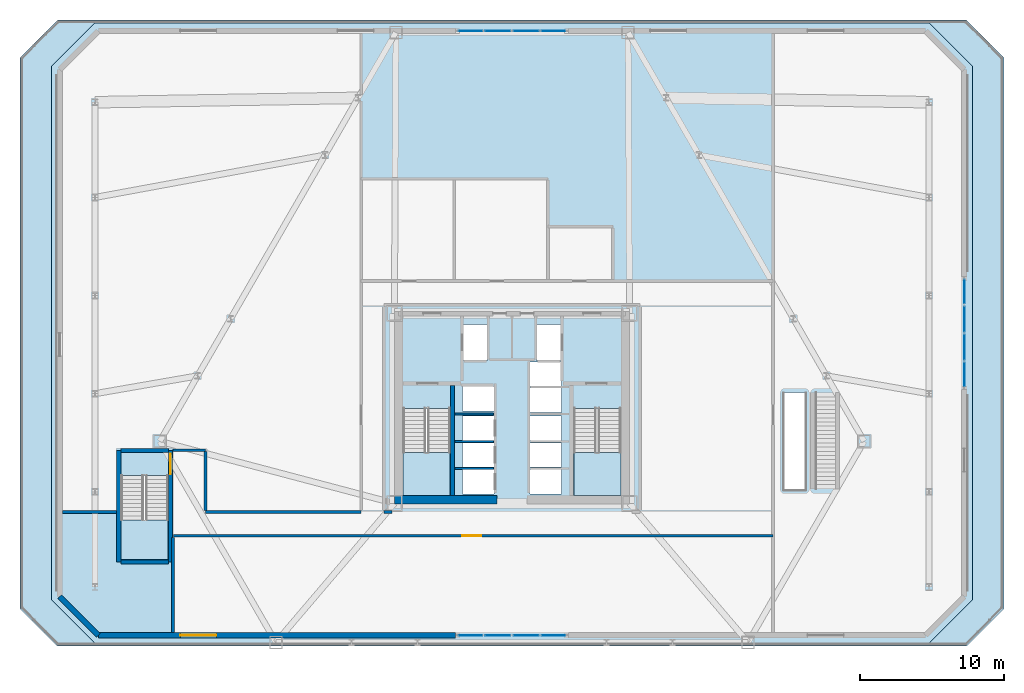
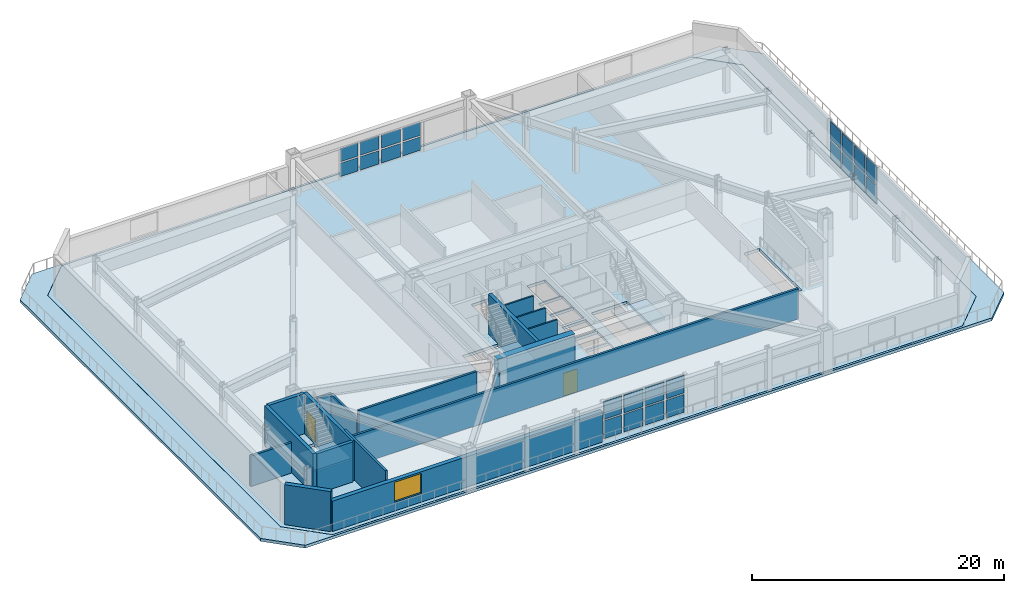
# One storey, part 11 of 22: 24 plates, 18 walls, 5 slabs, 2 doors, 1 window, 3 openings, 6 elements without a shape of their own.
"""IFC4 building model written with IfcOpenShell, lengths in metres."""

from ifc_helpers import new_model, si_unit, direction, frame, frame_2d, origin, origin_2d, place, context, subcontext, project, spatial, polyline, rectangle, outline, extrude, material, layer, layer_set, type_object, element, fill, aggregate, save


model = new_model("IFC4")

# Units and contexts
model_context = context("Model", 3, precision=1e-05, world=origin(), true_north=direction((0.0, 1.0)))
body_context = subcontext(model_context, "Body", "Model", "MODEL_VIEW")
ifc_project = project(units=[si_unit("LENGTHUNIT", "METRE"), si_unit("AREAUNIT", "SQUARE_METRE"), si_unit("VOLUMEUNIT", "CUBIC_METRE"), si_unit("PLANEANGLEUNIT", "RADIAN"), si_unit("MASSUNIT", "GRAM", prefix="KILO")], contexts=[model_context])

# Site, building, storey
site_placement = place(None, origin())
site = spatial("IfcSite", under=ifc_project, at=site_placement, CompositionType="ELEMENT")
building_placement = place(site_placement, origin())
building = spatial("IfcBuilding", under=site, at=building_placement, Name="Oramaril Tower", CompositionType="ELEMENT")
storey_placement = place(building_placement, frame((0.0, 0.0, 18.300048828125)))
storey = spatial("IfcBuildingStorey", under=building, at=storey_placement, Name="L04", CompositionType="ELEMENT", Elevation=18.300048828125)

# Curtain wall, plates
ifc_material_1 = material(Name="Anodised Aluminium 6063-T6", Category="aluminium")
ifc_layer_1 = layer(ifc_material_1, 0.219970703125)
ifc_layer_set_1 = layer_set([ifc_layer_1], Name="CWT-SYS2")
curtain_wall_type = type_object("IfcCurtainWallType", Name="CWT-SYS2", PredefinedType="NOTDEFINED", material=ifc_layer_set_1)
curtain_wall_1_placement = place(storey_placement, origin())
curtain_wall_1 = element("IfcCurtainWall", 1, at=curtain_wall_1_placement, inside=storey, type_object=curtain_wall_type, Name="L04 Unitised Curtain Wall CW-2", PredefinedType="NOTDEFINED")
ifc_material_2 = material(Name="Coastal Low-E Insulated Glass", Category="glass")
ifc_layer_2 = layer(ifc_material_2, 0.028076171875)
ifc_layer_set_2 = layer_set([ifc_layer_2], Name="PLT-CWP1")
plate_type = type_object("IfcPlateType", Name="PLT-CWP1", PredefinedType="CURTAIN_PANEL", material=ifc_layer_set_2)
plate_1_placement = place(storey_placement, frame((34.6298828125, 1.85009765625, 0.139892578125), z_axis=(0.0, 0.0, 1.0), x_axis=(1.0, 0.0, 0.0)))
plate_1 = element("IfcPlate", 2, at=plate_1_placement, type_object=plate_type, Name="CW-2 panel 1.1", PredefinedType="CURTAIN_PANEL", context=body_context, shape_type="SweptSolid", body=[
    extrude(rectangle(XDim=1.6201171875, YDim=0.028076171875, at=origin_2d()), origin(), (0.0, 0.0, 1.0), 1.72998046875),
])
plate_2_placement = place(storey_placement, frame((34.6298828125, 1.85009765625, 2.010009765625), z_axis=(0.0, 0.0, 1.0), x_axis=(1.0, 0.0, 0.0)))
plate_2 = element("IfcPlate", 3, at=plate_2_placement, type_object=plate_type, Name="CW-2 panel 1.2", PredefinedType="CURTAIN_PANEL", context=body_context, shape_type="SweptSolid", body=[
    extrude(rectangle(XDim=1.6201171875, YDim=0.028076171875, at=origin_2d()), origin(), (0.0, 0.0, 1.0), 1.72998046875),
])
plate_3_placement = place(storey_placement, frame((36.52490234375, 1.85009765625, 0.139892578125), z_axis=(0.0, 0.0, 1.0), x_axis=(1.0, 0.0, 0.0)))
plate_3 = element("IfcPlate", 4, at=plate_3_placement, type_object=plate_type, Name="CW-2 panel 2.1", PredefinedType="CURTAIN_PANEL", context=body_context, shape_type="SweptSolid", body=[
    extrude(rectangle(XDim=1.72998046875, YDim=0.028076171875, at=origin_2d()), origin(), (0.0, 0.0, 1.0), 1.72998046875),
])
plate_4_placement = place(storey_placement, frame((36.52490234375, 1.85009765625, 2.010009765625), z_axis=(0.0, 0.0, 1.0), x_axis=(1.0, 0.0, 0.0)))
plate_4 = element("IfcPlate", 5, at=plate_4_placement, type_object=plate_type, Name="CW-2 panel 2.2", PredefinedType="CURTAIN_PANEL", context=body_context, shape_type="SweptSolid", body=[
    extrude(rectangle(XDim=1.72998046875, YDim=0.028076171875, at=origin_2d()), origin(), (0.0, 0.0, 1.0), 1.72998046875),
])
plate_5_placement = place(storey_placement, frame((38.47509765625, 1.85009765625, 0.139892578125), z_axis=(0.0, 0.0, 1.0), x_axis=(1.0, 0.0, 0.0)))
plate_5 = element("IfcPlate", 6, at=plate_5_placement, type_object=plate_type, Name="CW-2 panel 3.1", PredefinedType="CURTAIN_PANEL", context=body_context, shape_type="SweptSolid", body=[
    extrude(rectangle(XDim=1.72998046875, YDim=0.028076171875, at=origin_2d()), origin(), (0.0, 0.0, 1.0), 1.72998046875),
])
plate_6_placement = place(storey_placement, frame((38.47509765625, 1.85009765625, 2.010009765625), z_axis=(0.0, 0.0, 1.0), x_axis=(1.0, 0.0, 0.0)))
plate_6 = element("IfcPlate", 7, at=plate_6_placement, type_object=plate_type, Name="CW-2 panel 3.2", PredefinedType="CURTAIN_PANEL", context=body_context, shape_type="SweptSolid", body=[
    extrude(rectangle(XDim=1.72998046875, YDim=0.028076171875, at=origin_2d()), origin(), (0.0, 0.0, 1.0), 1.72998046875),
])
plate_7_placement = place(storey_placement, frame((40.3701171875, 1.85009765625, 0.139892578125), z_axis=(0.0, 0.0, 1.0), x_axis=(1.0, 0.0, 0.0)))
plate_7 = element("IfcPlate", 8, at=plate_7_placement, type_object=plate_type, Name="CW-2 panel 4.1", PredefinedType="CURTAIN_PANEL", context=body_context, shape_type="SweptSolid", body=[
    extrude(rectangle(XDim=1.6201171875, YDim=0.028076171875, at=origin_2d()), origin(), (0.0, 0.0, 1.0), 1.72998046875),
])
plate_8_placement = place(storey_placement, frame((40.3701171875, 1.85009765625, 2.010009765625), z_axis=(0.0, 0.0, 1.0), x_axis=(1.0, 0.0, 0.0)))
plate_8 = element("IfcPlate", 9, at=plate_8_placement, type_object=plate_type, Name="CW-2 panel 4.2", PredefinedType="CURTAIN_PANEL", context=body_context, shape_type="SweptSolid", body=[
    extrude(rectangle(XDim=1.6201171875, YDim=0.028076171875, at=origin_2d()), origin(), (0.0, 0.0, 1.0), 1.72998046875),
])
aggregate(curtain_wall_1, [plate_1, plate_2, plate_3, plate_4, plate_5, plate_6, plate_7, plate_8])

curtain_wall_2_placement = place(storey_placement, origin())
curtain_wall_2 = element("IfcCurtainWall", 10, at=curtain_wall_2_placement, inside=storey, type_object=curtain_wall_type, Name="L04 Unitised Curtain Wall CW-2", PredefinedType="NOTDEFINED")
plate_9_placement = place(storey_placement, frame((68.85009765625, 19.929931640625, 0.139892578125), z_axis=(0.0, 0.0, 1.0), x_axis=(0.0, 1.0, 0.0)))
plate_9 = element("IfcPlate", 11, at=plate_9_placement, type_object=plate_type, Name="CW-2 panel 1.1", PredefinedType="CURTAIN_PANEL", context=body_context, shape_type="SweptSolid", body=[
    extrude(rectangle(XDim=1.6201171875, YDim=0.028076171875, at=origin_2d()), origin(), (0.0, 0.0, 1.0), 1.72998046875),
])
plate_10_placement = place(storey_placement, frame((68.85009765625, 19.929931640625, 2.010009765625), z_axis=(0.0, 0.0, 1.0), x_axis=(0.0, 1.0, 0.0)))
plate_10 = element("IfcPlate", 12, at=plate_10_placement, type_object=plate_type, Name="CW-2 panel 1.2", PredefinedType="CURTAIN_PANEL", context=body_context, shape_type="SweptSolid", body=[
    extrude(rectangle(XDim=1.6201171875, YDim=0.028076171875, at=origin_2d()), origin(), (0.0, 0.0, 1.0), 1.72998046875),
])
plate_11_placement = place(storey_placement, frame((68.85009765625, 21.824951171875, 0.139892578125), z_axis=(0.0, 0.0, 1.0), x_axis=(0.0, 1.0, 0.0)))
plate_11 = element("IfcPlate", 13, at=plate_11_placement, type_object=plate_type, Name="CW-2 panel 2.1", PredefinedType="CURTAIN_PANEL", context=body_context, shape_type="SweptSolid", body=[
    extrude(rectangle(XDim=1.72998046875, YDim=0.028076171875, at=origin_2d()), origin(), (0.0, 0.0, 1.0), 1.72998046875),
])
plate_12_placement = place(storey_placement, frame((68.85009765625, 21.824951171875, 2.010009765625), z_axis=(0.0, 0.0, 1.0), x_axis=(0.0, 1.0, 0.0)))
plate_12 = element("IfcPlate", 14, at=plate_12_placement, type_object=plate_type, Name="CW-2 panel 2.2", PredefinedType="CURTAIN_PANEL", context=body_context, shape_type="SweptSolid", body=[
    extrude(rectangle(XDim=1.72998046875, YDim=0.028076171875, at=origin_2d()), origin(), (0.0, 0.0, 1.0), 1.72998046875),
])
plate_13_placement = place(storey_placement, frame((68.85009765625, 23.77490234375, 0.139892578125), z_axis=(0.0, 0.0, 1.0), x_axis=(0.0, 1.0, 0.0)))
plate_13 = element("IfcPlate", 15, at=plate_13_placement, type_object=plate_type, Name="CW-2 panel 3.1", PredefinedType="CURTAIN_PANEL", context=body_context, shape_type="SweptSolid", body=[
    extrude(rectangle(XDim=1.72998046875, YDim=0.028076171875, at=origin_2d()), origin(), (0.0, 0.0, 1.0), 1.72998046875),
])
plate_14_placement = place(storey_placement, frame((68.85009765625, 23.77490234375, 2.010009765625), z_axis=(0.0, 0.0, 1.0), x_axis=(0.0, 1.0, 0.0)))
plate_14 = element("IfcPlate", 16, at=plate_14_placement, type_object=plate_type, Name="CW-2 panel 3.2", PredefinedType="CURTAIN_PANEL", context=body_context, shape_type="SweptSolid", body=[
    extrude(rectangle(XDim=1.72998046875, YDim=0.028076171875, at=origin_2d()), origin(), (0.0, 0.0, 1.0), 1.72998046875),
])
plate_15_placement = place(storey_placement, frame((68.85009765625, 25.669921875, 0.139892578125), z_axis=(0.0, 0.0, 1.0), x_axis=(0.0, 1.0, 0.0)))
plate_15 = element("IfcPlate", 17, at=plate_15_placement, type_object=plate_type, Name="CW-2 panel 4.1", PredefinedType="CURTAIN_PANEL", context=body_context, shape_type="SweptSolid", body=[
    extrude(rectangle(XDim=1.6201171875, YDim=0.028076171875, at=origin_2d()), origin(), (0.0, 0.0, 1.0), 1.72998046875),
])
plate_16_placement = place(storey_placement, frame((68.85009765625, 25.669921875, 2.010009765625), z_axis=(0.0, 0.0, 1.0), x_axis=(0.0, 1.0, 0.0)))
plate_16 = element("IfcPlate", 18, at=plate_16_placement, type_object=plate_type, Name="CW-2 panel 4.2", PredefinedType="CURTAIN_PANEL", context=body_context, shape_type="SweptSolid", body=[
    extrude(rectangle(XDim=1.6201171875, YDim=0.028076171875, at=origin_2d()), origin(), (0.0, 0.0, 1.0), 1.72998046875),
])
aggregate(curtain_wall_2, [plate_9, plate_10, plate_11, plate_12, plate_13, plate_14, plate_15, plate_16])

curtain_wall_3_placement = place(storey_placement, origin())
curtain_wall_3 = element("IfcCurtainWall", 19, at=curtain_wall_3_placement, inside=storey, type_object=curtain_wall_type, Name="L04 Unitised Curtain Wall CW-2", PredefinedType="NOTDEFINED")
plate_17_placement = place(storey_placement, frame((40.3701171875, 43.75, 0.1396484375), z_axis=(0.0, 0.0, 1.0), x_axis=(-1.0, 0.0, 0.0)))
plate_17 = element("IfcPlate", 20, at=plate_17_placement, type_object=plate_type, Name="CW-2 panel 1.1", PredefinedType="CURTAIN_PANEL", context=body_context, shape_type="SweptSolid", body=[
    extrude(rectangle(XDim=1.6201171875, YDim=0.028076171875, at=origin_2d()), origin(), (0.0, 0.0, 1.0), 1.297119140625),
])
plate_18_placement = place(storey_placement, frame((40.3701171875, 43.75, 1.57666015625), z_axis=(0.0, 0.0, 1.0), x_axis=(-1.0, 0.0, 0.0)))
plate_18 = element("IfcPlate", 21, at=plate_18_placement, type_object=plate_type, Name="CW-2 panel 1.2", PredefinedType="CURTAIN_PANEL", context=body_context, shape_type="SweptSolid", body=[
    extrude(rectangle(XDim=1.6201171875, YDim=0.028076171875, at=origin_2d()), origin(), (0.0, 0.0, 1.0), 1.297119140625),
])
plate_19_placement = place(storey_placement, frame((38.47509765625, 43.75, 0.1396484375), z_axis=(0.0, 0.0, 1.0), x_axis=(-1.0, 0.0, 0.0)))
plate_19 = element("IfcPlate", 22, at=plate_19_placement, type_object=plate_type, Name="CW-2 panel 2.1", PredefinedType="CURTAIN_PANEL", context=body_context, shape_type="SweptSolid", body=[
    extrude(rectangle(XDim=1.72998046875, YDim=0.028076171875, at=origin_2d()), origin(), (0.0, 0.0, 1.0), 1.297119140625),
])
plate_20_placement = place(storey_placement, frame((38.47509765625, 43.75, 1.57666015625), z_axis=(0.0, 0.0, 1.0), x_axis=(-1.0, 0.0, 0.0)))
plate_20 = element("IfcPlate", 23, at=plate_20_placement, type_object=plate_type, Name="CW-2 panel 2.2", PredefinedType="CURTAIN_PANEL", context=body_context, shape_type="SweptSolid", body=[
    extrude(rectangle(XDim=1.72998046875, YDim=0.028076171875, at=origin_2d()), origin(), (0.0, 0.0, 1.0), 1.297119140625),
])
plate_21_placement = place(storey_placement, frame((36.52490234375, 43.75, 0.1396484375), z_axis=(0.0, 0.0, 1.0), x_axis=(-1.0, 0.0, 0.0)))
plate_21 = element("IfcPlate", 24, at=plate_21_placement, type_object=plate_type, Name="CW-2 panel 3.1", PredefinedType="CURTAIN_PANEL", context=body_context, shape_type="SweptSolid", body=[
    extrude(rectangle(XDim=1.72998046875, YDim=0.028076171875, at=origin_2d()), origin(), (0.0, 0.0, 1.0), 1.297119140625),
])
plate_22_placement = place(storey_placement, frame((36.52490234375, 43.75, 1.57666015625), z_axis=(0.0, 0.0, 1.0), x_axis=(-1.0, 0.0, 0.0)))
plate_22 = element("IfcPlate", 25, at=plate_22_placement, type_object=plate_type, Name="CW-2 panel 3.2", PredefinedType="CURTAIN_PANEL", context=body_context, shape_type="SweptSolid", body=[
    extrude(rectangle(XDim=1.72998046875, YDim=0.028076171875, at=origin_2d()), origin(), (0.0, 0.0, 1.0), 1.297119140625),
])
plate_23_placement = place(storey_placement, frame((34.6298828125, 43.75, 0.1396484375), z_axis=(0.0, 0.0, 1.0), x_axis=(-1.0, 0.0, 0.0)))
plate_23 = element("IfcPlate", 26, at=plate_23_placement, type_object=plate_type, Name="CW-2 panel 4.1", PredefinedType="CURTAIN_PANEL", context=body_context, shape_type="SweptSolid", body=[
    extrude(rectangle(XDim=1.6201171875, YDim=0.028076171875, at=origin_2d()), origin(), (0.0, 0.0, 1.0), 1.297119140625),
])
plate_24_placement = place(storey_placement, frame((34.6298828125, 43.75, 1.57666015625), z_axis=(0.0, 0.0, 1.0), x_axis=(-1.0, 0.0, 0.0)))
plate_24 = element("IfcPlate", 27, at=plate_24_placement, type_object=plate_type, Name="CW-2 panel 4.2", PredefinedType="CURTAIN_PANEL", context=body_context, shape_type="SweptSolid", body=[
    extrude(rectangle(XDim=1.6201171875, YDim=0.028076171875, at=origin_2d()), origin(), (0.0, 0.0, 1.0), 1.297119140625),
])
aggregate(curtain_wall_3, [plate_17, plate_18, plate_19, plate_20, plate_21, plate_22, plate_23, plate_24])

# Stair, slab
ifc_material_3 = material(Name="Concrete C50/60", Category="concrete")
stair_type = type_object("IfcStairType", Name="STT-DG-4200", PredefinedType="HALF_TURN_STAIR", material=ifc_material_3)
stair_1_placement = place(storey_placement, origin())
stair_1 = element("IfcStair", 28, at=stair_1_placement, inside=storey, type_object=stair_type, Name="L04 Protected PFP Exit Stair ST-1", PredefinedType="HALF_TURN_STAIR")
ifc_material_4 = material(Name="Concrete C50/60", Category="concrete")
ifc_layer_3 = layer(ifc_material_4, 0.199951171875)
ifc_layer_set_3 = layer_set([ifc_layer_3], Name="SLT-LND20")
slab_type_1 = type_object("IfcSlabType", Name="SLT-LND20", PredefinedType="LANDING", material=ifc_layer_set_3)
slab_1_placement = place(storey_placement, frame((0.0, 0.0, 1.89990234375)))
slab_1 = element("IfcSlab", 29, at=slab_1_placement, type_object=slab_type_1, Name="ST-1 landing 1", PredefinedType="LANDING", context=body_context, shape_type="SweptSolid", body=[
    extrude(outline(polyline([(29.949951171875, 14.510009765625), (29.949951171875, 11.550048828125), (33.219970703125, 11.550048828125), (33.219970703125, 14.510009765625), (29.949951171875, 14.510009765625)])), origin(), (0.0, 0.0, 1.0), 0.199951171875),
])
aggregate(stair_1, [slab_1])

stair_2_placement = place(storey_placement, origin())
stair_2 = element("IfcStair", 30, at=stair_2_placement, inside=storey, type_object=stair_type, Name="L04 Protected PFP Exit Stair ST-2", PredefinedType="HALF_TURN_STAIR")
slab_2_placement = place(storey_placement, frame((0.0, 0.0, 1.89990234375)))
slab_2 = element("IfcSlab", 31, at=slab_2_placement, type_object=slab_type_1, Name="ST-2 landing 1", PredefinedType="LANDING", context=body_context, shape_type="SweptSolid", body=[
    extrude(outline(polyline([(41.780029296875, 14.510009765625), (41.780029296875, 11.550048828125), (45.050048828125, 11.550048828125), (45.050048828125, 14.510009765625), (41.780029296875, 14.510009765625)])), origin(), (0.0, 0.0, 1.0), 0.199951171875),
])
aggregate(stair_2, [slab_2])

stair_3_placement = place(storey_placement, origin())
stair_3 = element("IfcStair", 32, at=stair_3_placement, inside=storey, type_object=stair_type, Name="L04 Podium Enclosed Exit Stair ST-3", PredefinedType="HALF_TURN_STAIR")
slab_3_placement = place(storey_placement, frame((0.0, 0.0, 1.89990234375)))
slab_3 = element("IfcSlab", 33, at=slab_3_placement, type_object=slab_type_1, Name="ST-3 landing 1", PredefinedType="LANDING", context=body_context, shape_type="SweptSolid", body=[
    extrude(outline(polyline([(10.39990234375, 9.860107421875), (10.39990234375, 7.10009765625), (13.669921875, 7.10009765625), (13.669921875, 9.860107421875), (10.39990234375, 9.860107421875)])), origin(), (0.0, 0.0, 1.0), 0.199951171875),
])
aggregate(stair_3, [slab_3])

# Slabs
ifc_material_5 = material(Name="Concrete C50/60", Category="concrete")
ifc_layer_4 = layer(ifc_material_5, 0.280029296875)
ifc_layer_set_4 = layer_set([ifc_layer_4], Name="SLT-POD28")
slab_type_2 = type_object("IfcSlabType", Name="SLT-POD28", PredefinedType="FLOOR", material=ifc_layer_set_4)
slab_4_placement = place(storey_placement, frame((0.0, 0.0, -0.280029296875)))
element("IfcSlab", 34, at=slab_4_placement, inside=storey, type_object=slab_type_2, Name="L04 Structural Floor Slab", PredefinedType="FLOOR", context=body_context, shape_type="SweptSolid", body=[
    extrude(outline(polyline([(8.60009765625, 1.300048828125), (66.39990234375, 1.300048828125), (69.39990234375, 4.300048828125), (69.39990234375, 41.300048828125), (66.39990234375, 44.300048828125), (8.60009765625, 44.300048828125), (5.60009765625, 41.300048828125), (5.60009765625, 4.300048828125), (8.60009765625, 1.300048828125)]), holes=[polyline([(29.949951171875, 17.58935546875), (29.949951171875, 11.550048828125), (33.219970703125, 11.550048828125), (33.219970703125, 17.58935546875), (29.949951171875, 17.58935546875)]), polyline([(41.780029296875, 17.58935546875), (41.780029296875, 11.550048828125), (45.050048828125, 11.550048828125), (45.050048828125, 17.58935546875), (41.780029296875, 17.58935546875)]), polyline([(10.39990234375, 12.939453125), (10.39990234375, 7.10009765625), (13.669921875, 7.10009765625), (13.669921875, 12.939453125), (10.39990234375, 12.939453125)]), polyline([(56.375, 11.949951171875), (57.824951171875, 11.949951171875), (57.824951171875, 18.66943359375), (56.375, 18.66943359375), (56.375, 11.949951171875)]), polyline([(34.110107421875, 20.909912109375), (35.7900390625, 20.909912109375), (35.7900390625, 23.389892578125), (34.110107421875, 23.389892578125), (34.110107421875, 20.909912109375)]), polyline([(39.2099609375, 20.909912109375), (40.889892578125, 20.909912109375), (40.889892578125, 23.389892578125), (39.2099609375, 23.389892578125), (39.2099609375, 20.909912109375)]), polyline([(34.06005859375, 11.659912109375), (36.239990234375, 11.659912109375), (36.239990234375, 13.340087890625), (34.06005859375, 13.340087890625), (34.06005859375, 11.659912109375)]), polyline([(34.06005859375, 13.510009765625), (36.239990234375, 13.510009765625), (36.239990234375, 15.18994140625), (34.06005859375, 15.18994140625), (34.06005859375, 13.510009765625)]), polyline([(34.06005859375, 15.360107421875), (36.239990234375, 15.360107421875), (36.239990234375, 17.0400390625), (34.06005859375, 17.0400390625), (34.06005859375, 15.360107421875)]), polyline([(38.760009765625, 11.659912109375), (40.93994140625, 11.659912109375), (40.93994140625, 13.340087890625), (38.760009765625, 13.340087890625), (38.760009765625, 11.659912109375)]), polyline([(38.760009765625, 13.510009765625), (40.93994140625, 13.510009765625), (40.93994140625, 15.18994140625), (38.760009765625, 15.18994140625), (38.760009765625, 13.510009765625)]), polyline([(38.760009765625, 15.360107421875), (40.93994140625, 15.360107421875), (40.93994140625, 17.0400390625), (38.760009765625, 17.0400390625), (38.760009765625, 15.360107421875)]), polyline([(34.06005859375, 17.409912109375), (36.239990234375, 17.409912109375), (36.239990234375, 19.090087890625), (34.06005859375, 19.090087890625), (34.06005859375, 17.409912109375)]), polyline([(38.760009765625, 17.31005859375), (40.93994140625, 17.31005859375), (40.93994140625, 18.989990234375), (38.760009765625, 18.989990234375), (38.760009765625, 17.31005859375)]), polyline([(38.760009765625, 19.110107421875), (40.93994140625, 19.110107421875), (40.93994140625, 20.7900390625), (38.760009765625, 20.7900390625), (38.760009765625, 19.110107421875)])]), origin(), (0.0, 0.0, 1.0), 0.280029296875),
])
ifc_material_6 = material(Name="Concrete C40/50", Category="concrete")
ifc_layer_5 = layer(ifc_material_6, 0.2099609375)
ifc_layer_set_5 = layer_set([ifc_layer_5], Name="SLT-TER21")
slab_type_3 = type_object("IfcSlabType", Name="SLT-TER21", PredefinedType="FLOOR", material=ifc_layer_set_5)
slab_5_placement = place(storey_placement, frame((0.0, 0.0, -0.280029296875)))
element("IfcSlab", 35, at=slab_5_placement, inside=storey, type_object=slab_type_3, Name="L04 Landscaped Podium Roof Terrace Deck 1", PredefinedType="FLOOR", context=body_context, shape_type="SweptSolid", body=[
    extrude(outline(polyline([(3.39990234375, 3.699951171875), (3.39990234375, 41.89990234375), (6.0, 44.5), (69.0, 44.5), (71.60009765625, 41.89990234375), (71.60009765625, 3.699951171875), (69.0, 1.10009765625), (6.0, 1.10009765625), (3.39990234375, 3.699951171875)]), holes=[polyline([(66.402099609375, 1.294921875), (69.405029296875, 4.2978515625), (69.405029296875, 41.302001953125), (66.402099609375, 44.304931640625), (8.597900390625, 44.304931640625), (5.594970703125, 41.302001953125), (5.594970703125, 4.2978515625), (8.597900390625, 1.294921875), (66.402099609375, 1.294921875)])]), origin(), (0.0, 0.0, 1.0), 0.280029296875),
])

# Wall, opening, window
ifc_material_7 = material(Name="Warm Cream Limestone", Category="masonry")
ifc_layer_6 = layer(ifc_material_7, 0.3798828125)
ifc_layer_set_6 = layer_set([ifc_layer_6], Name="WT-EXT38")
wall_type_1 = type_object("IfcWallType", Name="WT-EXT38", PredefinedType="SOLIDWALL", material=ifc_layer_set_6)
wall_1_placement = place(storey_placement, frame((8.827880859375, 1.85009765625, 0.0), z_axis=(0.0, 0.0, 1.0), x_axis=(1.0, 0.0, 0.0)))
wall_1 = element("IfcWall", 36, at=wall_1_placement, inside=storey, type_object=wall_type_1, Name="L04 Limestone Facade Wall EW-1A", PredefinedType="SOLIDWALL", context=body_context, shape_type="SweptSolid", body=[
    extrude(rectangle(XDim=24.772216796875, YDim=0.3798828125, at=frame_2d((12.38623046875, 0.0))), origin(), (0.0, 0.0, 1.0), 2.94287109375),
])
opening_1_placement = place(wall_1_placement, frame((5.686279296875, 0.0, 0.85009765625)))
opening_1 = element("IfcOpeningElement", 37, at=opening_1_placement, cuts=wall_1, Name="Opening WN-11", PredefinedType="OPENING", context=body_context, shape_type="SweptSolid", body=[
    extrude(rectangle(XDim=2.5, YDim=1.923095703125, at=frame_2d((1.25, 0.96142578125))), frame((0.0, 0.18994140625, 0.0), z_axis=(0.0, -1.0, 0.0), x_axis=(1.0, 0.0, 0.0)), (0.0, 0.0, 1.0), 0.3798828125),
])
ifc_material_8 = material(Name="Coastal Low-E Insulated Glass", Category="glass")
window_type = type_object("IfcWindowType", Name="WNT-11", PartitioningType="SINGLE_PANEL", PredefinedType="WINDOW", material=ifc_material_8)
window_placement = place(opening_1_placement, origin())
window = element("IfcWindow", 38, at=window_placement, inside=storey, type_object=window_type, Name="L04 Podium Chicago Window", OverallHeight=1.923095703125, OverallWidth=2.5, PartitioningType="SINGLE_PANEL", PredefinedType="WINDOW", context=body_context, shape_type="SweptSolid", body=[
    extrude(rectangle(XDim=2.5, YDim=1.923095703125, at=frame_2d((1.25, 0.96142578125))), frame((0.0, 0.030029296875, 0.0), z_axis=(0.0, -1.0, 0.0), x_axis=(1.0, 0.0, 0.0)), (0.0, 0.0, 1.0), 0.06005859375),
])
fill(opening_1, window)

# Walls
wall_2_placement = place(storey_placement, frame((6.14990234375, 4.52783203125, 0.0), z_axis=(0.0, 0.0, 1.0), x_axis=(0.707139013974, -0.707074546929, 0.0)))
element("IfcWall", 39, at=wall_2_placement, inside=storey, type_object=wall_type_1, Name="L04 Limestone Facade Wall EW-8M", PredefinedType="SOLIDWALL", context=body_context, shape_type="SweptSolid", body=[
    extrude(rectangle(XDim=3.787109375, YDim=0.3798828125, at=frame_2d((1.8935546875, 0.0))), origin(), (0.0, 0.0, 1.0), 3.8798828125),
])
ifc_material_9 = material(Name="Acoustic Gypsum Board Partition")
ifc_layer_7 = layer(ifc_material_9, 0.139892578125)
ifc_layer_set_7 = layer_set([ifc_layer_7], Name="WT-PT14")
wall_type_2 = type_object("IfcWallType", Name="WT-PT14", PredefinedType="PARTITIONING", material=ifc_layer_set_7)
for number, where, z_axis, x_axis, name in (
    (40, (33.56005859375, 13.419921875, 0.0), (0.0, 0.0, 1.0), (1.0, 0.0, 0.0), "L04 West Lift Divider"),
    (41, (33.56005859375, 15.27001953125, 0.0), (0.0, 0.0, 1.0), (1.0, 0.0, 0.0), "L04 West Lift Divider"),
    (42, (33.56005859375, 17.199951171875, 0.0), (0.0, 0.0, 1.0), (1.0, 0.0, 0.0), "L04 West Lift Divider"),
):
    element("IfcWall", number, at=place(storey_placement, frame(where, z_axis=z_axis, x_axis=x_axis)), inside=storey, type_object=wall_type_2, Name=name, PredefinedType="PARTITIONING", context=body_context, shape_type="SweptSolid", body=[
        extrude(rectangle(XDim=2.659912109375, YDim=0.139892578125, at=frame_2d((1.330078125, 0.0))), origin(), (0.0, 0.0, 1.0), 3.8798828125),
    ])

# Wall, opening, door
ifc_material_10 = material(Name="Autoclaved Cellular Concrete Block", Category="concrete")
ifc_layer_8 = layer(ifc_material_10, 0.199951171875)
ifc_layer_set_8 = layer_set([ifc_layer_8], Name="WT-PT20")
wall_type_3 = type_object("IfcWallType", Name="WT-PT20", PredefinedType="PARTITIONING", material=ifc_layer_set_8)
wall_3_placement = place(storey_placement, frame((14.030029296875, 8.75, 0.0), z_axis=(0.0, 0.0, 1.0), x_axis=(1.0, 0.0, 0.0)))
wall_3 = element("IfcWall", 43, at=wall_3_placement, inside=storey, type_object=wall_type_3, Name="L04 Interior Partition PT-20", PredefinedType="PARTITIONING", context=body_context, shape_type="SweptSolid", body=[
    extrude(rectangle(XDim=41.570068359375, YDim=0.199951171875, at=frame_2d((20.78515625, 0.0))), origin(), (0.0, 0.0, 1.0), 2.94287109375),
])
opening_2_placement = place(wall_3_placement, frame((20.034912109375, 0.0, 0.0)))
opening_2 = element("IfcOpeningElement", 44, at=opening_2_placement, cuts=wall_3, Name="Opening D-L04-01", PredefinedType="OPENING", context=body_context, shape_type="SweptSolid", body=[
    extrude(rectangle(XDim=1.300048828125, YDim=2.199951171875, at=frame_2d((0.64990234375, 1.10009765625))), frame((0.0, 0.10009765625, 0.0), z_axis=(0.0, -1.0, 0.0), x_axis=(1.0, 0.0, 0.0)), (0.0, 0.0, 1.0), 0.199951171875),
])
ifc_material_11 = material(Name="FSC Brazilian Freijo Hardwood", Category="wood")
door_type_1 = type_object("IfcDoorType", Name="DT-COM", OperationType="NOTDEFINED", PredefinedType="DOOR", material=ifc_material_11)
door_1_placement = place(opening_2_placement, origin())
door_1 = element("IfcDoor", 45, at=door_1_placement, inside=storey, type_object=door_type_1, Name="L04 L04 Wellness Juice Bar and Cafe Door D-L04-01", OperationType="SINGLE_SWING_LEFT", OverallHeight=2.199951171875, OverallWidth=1.300048828125, PredefinedType="DOOR", context=body_context, shape_type="SweptSolid", body=[
    extrude(rectangle(XDim=1.300048828125, YDim=2.199951171875, at=frame_2d((0.64990234375, 1.10009765625))), frame((0.0, 0.02490234375, 0.0), z_axis=(0.0, -1.0, 0.0), x_axis=(1.0, 0.0, 0.0)), (0.0, 0.0, 1.0), 0.050048828125),
])
fill(opening_2, door_1)

# Walls
wall_4_placement = place(storey_placement, frame((6.343994140625, 10.39990234375, 0.0), z_axis=(0.0, 0.0, 1.0), x_axis=(1.0, 0.0, 0.0)))
element("IfcWall", 46, at=wall_4_placement, inside=storey, type_object=wall_type_3, Name="L04 Interior Partition PT-20", PredefinedType="PARTITIONING", context=body_context, shape_type="SweptSolid", body=[
    extrude(rectangle(XDim=3.736083984375, YDim=0.199951171875, at=frame_2d((1.8681640625, 0.0))), origin(), (0.0, 0.0, 1.0), 2.94287109375),
])
wall_5_placement = place(storey_placement, frame((16.25, 10.39990234375, 0.0), z_axis=(0.0, 0.0, 1.0), x_axis=(1.0, 0.0, 0.0)))
element("IfcWall", 47, at=wall_5_placement, inside=storey, type_object=wall_type_3, Name="L04 Interior Partition PT-20", PredefinedType="PARTITIONING", context=body_context, shape_type="SweptSolid", body=[
    extrude(rectangle(XDim=10.800048828125, YDim=0.199951171875, at=frame_2d((5.39990234375, 0.0))), origin(), (0.0, 0.0, 1.0), 3.8798828125),
])
wall_6_placement = place(storey_placement, frame((28.6201171875, 10.39990234375, 0.0), z_axis=(0.0, 0.0, 1.0), x_axis=(1.0, 0.0, 0.0)))
element("IfcWall", 48, at=wall_6_placement, inside=storey, type_object=wall_type_3, Name="L04 Interior Partition PT-20", PredefinedType="PARTITIONING", context=body_context, shape_type="SweptSolid", body=[
    extrude(rectangle(XDim=0.579833984375, YDim=0.199951171875, at=frame_2d((0.2900390625, 0.0))), origin(), (0.0, 0.0, 1.0), 2.94287109375),
])
wall_7_placement = place(storey_placement, frame((13.989990234375, 14.679931640625, 0.0), z_axis=(0.0, 0.0, 1.0), x_axis=(1.0, 0.0, 0.0)))
element("IfcWall", 49, at=wall_7_placement, inside=storey, type_object=wall_type_3, Name="L04 Interior Partition PT-20", PredefinedType="PARTITIONING", context=body_context, shape_type="SweptSolid", body=[
    extrude(rectangle(XDim=2.260009765625, YDim=0.199951171875, at=frame_2d((1.1298828125, 0.0))), origin(), (0.0, 0.0, 1.0), 2.94287109375),
])
wall_8_placement = place(storey_placement, frame((14.0, 2.0439453125, 0.0), z_axis=(0.0, 0.0, 1.0), x_axis=(0.0, 1.0, 0.0)))
element("IfcWall", 50, at=wall_8_placement, inside=storey, type_object=wall_type_3, Name="L04 Interior Partition PT-20", PredefinedType="PARTITIONING", context=body_context, shape_type="SweptSolid", body=[
    extrude(rectangle(XDim=6.60205078125, YDim=0.199951171875, at=frame_2d((3.301025390625, 0.0))), origin(), (0.0, 0.0, 1.0), 3.8798828125),
])
wall_9_placement = place(storey_placement, frame((16.25, 10.50390625, 0.0), z_axis=(0.0, 0.0, 1.0), x_axis=(0.0, 1.0, 0.0)))
element("IfcWall", 51, at=wall_9_placement, inside=storey, type_object=wall_type_3, Name="L04 Interior Partition PT-20", PredefinedType="PARTITIONING", context=body_context, shape_type="SweptSolid", body=[
    extrude(rectangle(XDim=4.072021484375, YDim=0.199951171875, at=frame_2d((2.0361328125, 0.0))), origin(), (0.0, 0.0, 1.0), 2.94287109375),
])
ifc_material_12 = material(Name="Concrete C50/60", Category="concrete")
ifc_layer_9 = layer(ifc_material_12, 0.300048828125)
ifc_layer_set_9 = layer_set([ifc_layer_9], Name="WT-SH30")
wall_type_4 = type_object("IfcWallType", Name="WT-SH30", PredefinedType="SHEAR", material=ifc_layer_set_9)
wall_10_placement = place(storey_placement, frame((33.3798828125, 11.5400390625, 0.0), z_axis=(0.0, 0.0, 1.0), x_axis=(0.0, 1.0, 0.0)))
element("IfcWall", 52, at=wall_10_placement, inside=storey, type_object=wall_type_4, Name="L04 Core Shear Wall CW-ST1E", PredefinedType="SHEAR", context=body_context, shape_type="SweptSolid", body=[
    extrude(rectangle(XDim=7.619873046875, YDim=0.300048828125, at=frame_2d((3.81005859375, 0.0))), origin(), (0.0, 0.0, 1.0), 3.8798828125),
])
wall_11_placement = place(storey_placement, frame((10.239990234375, 6.93994140625, 0.0), z_axis=(0.0, 0.0, 1.0), x_axis=(0.0, 1.0, 0.0)))
element("IfcWall", 53, at=wall_11_placement, inside=storey, type_object=wall_type_4, Name="L04 Stair ST-3 Shear Wall ST3W", PredefinedType="SHEAR", context=body_context, shape_type="SweptSolid", body=[
    extrude(rectangle(XDim=7.719970703125, YDim=0.300048828125, at=frame_2d((3.85986328125, 0.0))), origin(), (0.0, 0.0, 1.0), 3.8798828125),
])

# Wall, opening, door
wall_12_placement = place(storey_placement, frame((13.830078125, 6.93994140625, 0.0), z_axis=(0.0, 0.0, 1.0), x_axis=(0.0, 1.0, 0.0)))
wall_12 = element("IfcWall", 54, at=wall_12_placement, inside=storey, type_object=wall_type_4, Name="L04 Stair ST-3 Shear Wall ST3E", PredefinedType="SHEAR", context=body_context, shape_type="SweptSolid", body=[
    extrude(rectangle(XDim=7.719970703125, YDim=0.300048828125, at=frame_2d((3.85986328125, 0.0))), origin(), (0.0, 0.0, 1.0), 3.8798828125),
])
opening_3_placement = place(wall_12_placement, frame((6.080078125, 0.0, 0.0)))
opening_3 = element("IfcOpeningElement", 55, at=opening_3_placement, cuts=wall_12, Name="Opening D-L04-ST3", PredefinedType="OPENING", context=body_context, shape_type="SweptSolid", body=[
    extrude(rectangle(XDim=1.39990234375, YDim=2.199951171875, at=frame_2d((0.699951171875, 1.10009765625))), frame((0.0, 0.14990234375, 0.0), z_axis=(0.0, -1.0, 0.0), x_axis=(1.0, 0.0, 0.0)), (0.0, 0.0, 1.0), 0.300048828125),
])
ifc_material_13 = material(Name="Painted Galvanised Steel", Category="steel")
door_type_2 = type_object("IfcDoorType", Name="DT-ST", OperationType="NOTDEFINED", PredefinedType="DOOR", material=ifc_material_13)
door_2_placement = place(opening_3_placement, origin())
door_2 = element("IfcDoor", 56, at=door_2_placement, inside=storey, type_object=door_type_2, Name="L04 Stair ST-3 Protected Door", OperationType="SINGLE_SWING_RIGHT", OverallHeight=2.199951171875, OverallWidth=1.39990234375, PredefinedType="DOOR", context=body_context, shape_type="SweptSolid", body=[
    extrude(rectangle(XDim=1.39990234375, YDim=2.199951171875, at=frame_2d((0.699951171875, 1.10009765625))), frame((0.0, 0.02490234375, 0.0), z_axis=(0.0, -1.0, 0.0), x_axis=(1.0, 0.0, 0.0)), (0.0, 0.0, 1.0), 0.050048828125),
])
fill(opening_3, door_2)

# Walls
for number, where, z_axis, x_axis, name in (
    (57, (10.389892578125, 6.93994140625, 0.0), (0.0, 0.0, 1.0), (1.0, 0.0, 0.0), "L04 Stair ST-3 Shear Wall ST3S"),
    (58, (10.389892578125, 14.659912109375, 0.0), (0.0, 0.0, 1.0), (1.0, 0.0, 0.0), "L04 Stair ST-3 Shear Wall ST3N"),
):
    element("IfcWall", number, at=place(storey_placement, frame(where, z_axis=z_axis, x_axis=x_axis)), inside=storey, type_object=wall_type_4, Name=name, PredefinedType="SHEAR", context=body_context, shape_type="SweptSolid", body=[
        extrude(rectangle(XDim=3.2900390625, YDim=0.300048828125, at=frame_2d((1.64501953125, 0.0))), origin(), (0.0, 0.0, 1.0), 3.8798828125),
    ])
ifc_material_14 = material(Name="Concrete C50/60", Category="concrete")
ifc_layer_10 = layer(ifc_material_14, 0.60009765625)
ifc_layer_set_10 = layer_set([ifc_layer_10], Name="WT-SH60")
wall_type_5 = type_object("IfcWallType", Name="WT-SH60", PredefinedType="SHEAR", material=ifc_layer_set_10)
wall_13_placement = place(storey_placement, frame((29.35009765625, 11.239990234375, 0.0), z_axis=(0.0, 0.0, 1.0), x_axis=(1.0, 0.0, 0.0)))
element("IfcWall", 59, at=wall_13_placement, inside=storey, type_object=wall_type_5, Name="L04 Core Shear Wall CW-SW", PredefinedType="SHEAR", context=body_context, shape_type="SweptSolid", body=[
    extrude(rectangle(XDim=7.099853515625, YDim=0.60009765625, at=frame_2d((3.5498046875, 0.0))), origin(), (0.0, 0.0, 1.0), 3.8798828125),
])

save(model, "model.ifc")
